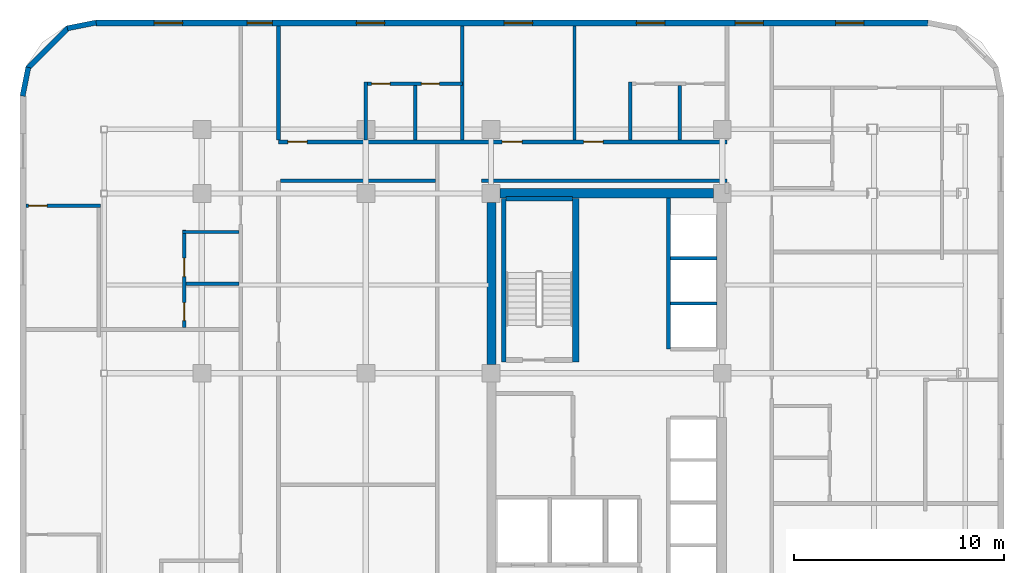
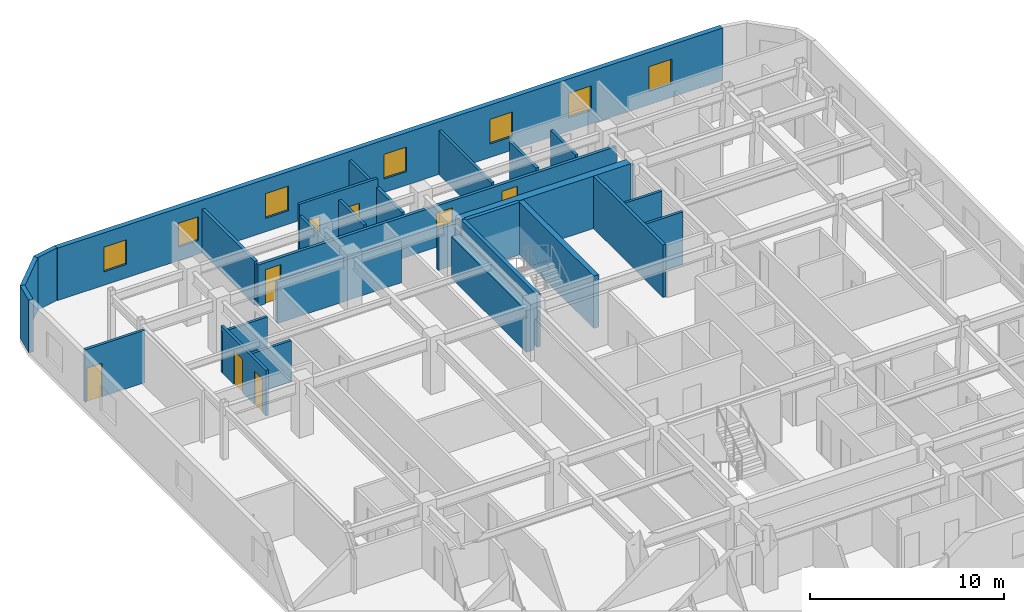
# One storey, part 9 of 11: 27 walls, 8 doors, 7 windows, 15 openings.
"""IFC4 building model written with IfcOpenShell, lengths in metres."""

from ifc_helpers import new_model, si_unit, direction, frame, frame_2d, origin, place, context, subcontext, project, spatial, rectangle, extrude, material, layer, layer_set, type_object, element, fill, save


model = new_model("IFC4")

# Units and contexts
model_context = context("Model", 3, precision=1e-05, world=origin(), true_north=direction((0.0, 1.0)))
body_context = subcontext(model_context, "Body", "Model", "MODEL_VIEW")
ifc_project = project(units=[si_unit("LENGTHUNIT", "METRE"), si_unit("AREAUNIT", "SQUARE_METRE"), si_unit("VOLUMEUNIT", "CUBIC_METRE"), si_unit("PLANEANGLEUNIT", "RADIAN"), si_unit("MASSUNIT", "GRAM", prefix="KILO")], contexts=[model_context])

# Site, building, storey
site_placement = place(None, origin())
site = spatial("IfcSite", under=ifc_project, at=site_placement, CompositionType="ELEMENT")
building_placement = place(site_placement, origin())
building = spatial("IfcBuilding", under=site, at=building_placement, Name="Ochreholt Gables", CompositionType="ELEMENT")
storey_placement = place(building_placement, frame((0.0, 0.0, 67.800048828125)))
storey = spatial("IfcBuildingStorey", under=building, at=storey_placement, Name="L17", CompositionType="ELEMENT", Elevation=67.800048828125)

# Walls
ifc_material_1 = material(Name="Concrete 60 MPa", Category="concrete")
ifc_layer_1 = layer(ifc_material_1, 0.449951171875, Name="Concrete 60 MPa")
ifc_layer_set_1 = layer_set([ifc_layer_1], Name="Concrete 60 MPa")
wall_type_1 = type_object("IfcWallType", Name="WALL-CSW-450", PredefinedType="SHEAR", material=ifc_layer_set_1)
wall_1_placement = place(storey_placement, frame((24.22509765625, 30.625, 0.0), z_axis=(0.0, 0.0, 1.0), x_axis=(0.0, 1.0, 0.0)))
element("IfcWall", 1, at=wall_1_placement, inside=storey, type_object=wall_type_1, Name="L17 Core West Shear Wall WN", PredefinedType="SHEAR", context=body_context, shape_type="SweptSolid", body=[
    extrude(rectangle(XDim=7.699951171875, YDim=0.449951171875, at=frame_2d((3.85009765625, 0.0))), origin(), (0.0, 0.0, 1.0), 2.60693359375),
])
wall_2_placement = place(storey_placement, frame((24.625, 38.75, 0.0), z_axis=(0.0, 0.0, 1.0), x_axis=(1.0, 0.0, 0.0)))
element("IfcWall", 2, at=wall_2_placement, inside=storey, type_object=wall_type_1, Name="L17 Core North Shear Wall", PredefinedType="SHEAR", context=body_context, shape_type="SweptSolid", body=[
    extrude(rectangle(XDim=10.14990234375, YDim=0.449951171875, at=frame_2d((5.074951171875, 0.0))), origin(), (0.0, 0.0, 1.0), 3.300048828125),
])

# Wall, openings, windows
ifc_material_2 = material(Name="Precast concrete 40 MPa", Category="concrete")
ifc_layer_2 = layer(ifc_material_2, 0.2900390625, Name="Precast concrete 40 MPa")
ifc_layer_set_2 = layer_set([ifc_layer_2], Name="Precast concrete 40 MPa")
wall_type_2 = type_object("IfcWallType", Name="WALL-EXT-290", PredefinedType="SOLIDWALL", material=ifc_layer_set_2)
wall_3_placement = place(storey_placement, frame((44.97998046875, 46.85498046875, 0.0), z_axis=(0.0, 0.0, 1.0), x_axis=(-1.0, 0.0, 0.0)))
wall_3 = element("IfcWall", 3, at=wall_3_placement, inside=storey, type_object=wall_type_2, Name="L17 North Exterior Wall", PredefinedType="SOLIDWALL", context=body_context, shape_type="SweptSolid", body=[
    extrude(rectangle(XDim=39.56005859375, YDim=0.2900390625, at=frame_2d((19.780029296875, 0.0))), origin(), (0.0, 0.0, 1.0), 3.300048828125),
])
opening_1_placement = place(wall_3_placement, frame((35.445068359375, 0.0, 0.85009765625)))
opening_1 = element("IfcOpeningElement", 4, at=opening_1_placement, cuts=wall_3, Name="Opening WN-8", PredefinedType="OPENING", context=body_context, shape_type="SweptSolid", body=[
    extrude(rectangle(XDim=1.35009765625, YDim=1.550048828125, at=frame_2d((0.675048828125, 0.77490234375))), frame((0.0, 0.155029296875, 0.0), z_axis=(0.0, -1.0, 0.0), x_axis=(1.0, 0.0, 0.0)), (0.0, 0.0, 1.0), 0.31005859375),
])
opening_2_placement = place(wall_3_placement, frame((31.179931640625, 0.0, 0.85009765625)))
opening_2 = element("IfcOpeningElement", 5, at=opening_2_placement, cuts=wall_3, Name="Opening WN-3", PredefinedType="OPENING", context=body_context, shape_type="SweptSolid", body=[
    extrude(rectangle(XDim=1.199951171875, YDim=1.5, at=frame_2d((0.60009765625, 0.75))), frame((0.0, 0.155029296875, 0.0), z_axis=(0.0, -1.0, 0.0), x_axis=(1.0, 0.0, 0.0)), (0.0, 0.0, 1.0), 0.31005859375),
])
opening_3_placement = place(wall_3_placement, frame((25.83447265625, 0.0, 0.85009765625)))
opening_3 = element("IfcOpeningElement", 6, at=opening_3_placement, cuts=wall_3, Name="Opening WN-8", PredefinedType="OPENING", context=body_context, shape_type="SweptSolid", body=[
    extrude(rectangle(XDim=1.35009765625, YDim=1.550048828125, at=frame_2d((0.675048828125, 0.77490234375))), frame((0.0, 0.155029296875, 0.0), z_axis=(0.0, -1.0, 0.0), x_axis=(1.0, 0.0, 0.0)), (0.0, 0.0, 1.0), 0.31005859375),
])
opening_4_placement = place(wall_3_placement, frame((18.798828125, 0.0, 0.85009765625)))
opening_4 = element("IfcOpeningElement", 7, at=opening_4_placement, cuts=wall_3, Name="Opening WN-8", PredefinedType="OPENING", context=body_context, shape_type="SweptSolid", body=[
    extrude(rectangle(XDim=1.35009765625, YDim=1.550048828125, at=frame_2d((0.675048828125, 0.77490234375))), frame((0.0, 0.155029296875, 0.0), z_axis=(0.0, -1.0, 0.0), x_axis=(1.0, 0.0, 0.0)), (0.0, 0.0, 1.0), 0.31005859375),
])
opening_5_placement = place(wall_3_placement, frame((12.509521484375, 0.0, 0.85009765625)))
opening_5 = element("IfcOpeningElement", 8, at=opening_5_placement, cuts=wall_3, Name="Opening WN-8", PredefinedType="OPENING", context=body_context, shape_type="SweptSolid", body=[
    extrude(rectangle(XDim=1.35009765625, YDim=1.550048828125, at=frame_2d((0.675048828125, 0.77490234375))), frame((0.0, 0.155029296875, 0.0), z_axis=(0.0, -1.0, 0.0), x_axis=(1.0, 0.0, 0.0)), (0.0, 0.0, 1.0), 0.31005859375),
])
opening_6_placement = place(wall_3_placement, frame((7.820068359375, 0.0, 0.85009765625)))
opening_6 = element("IfcOpeningElement", 9, at=opening_6_placement, cuts=wall_3, Name="Opening WN-8", PredefinedType="OPENING", context=body_context, shape_type="SweptSolid", body=[
    extrude(rectangle(XDim=1.35009765625, YDim=1.550048828125, at=frame_2d((0.675048828125, 0.77490234375))), frame((0.0, 0.155029296875, 0.0), z_axis=(0.0, -1.0, 0.0), x_axis=(1.0, 0.0, 0.0)), (0.0, 0.0, 1.0), 0.31005859375),
])
opening_7_placement = place(wall_3_placement, frame((3.0400390625, 0.0, 0.85009765625)))
opening_7 = element("IfcOpeningElement", 10, at=opening_7_placement, cuts=wall_3, Name="Opening WN-8", PredefinedType="OPENING", context=body_context, shape_type="SweptSolid", body=[
    extrude(rectangle(XDim=1.35009765625, YDim=1.550048828125, at=frame_2d((0.675048828125, 0.77490234375))), frame((0.0, 0.155029296875, 0.0), z_axis=(0.0, -1.0, 0.0), x_axis=(1.0, 0.0, 0.0)), (0.0, 0.0, 1.0), 0.31005859375),
])
ifc_material_3 = material(Name="Triple-Glazed Thermally Broken Aluminium Window", Category="aluminium")
window_type_1 = type_object("IfcWindowType", Name="WIN-RES-1200", PartitioningType="SINGLE_PANEL", PredefinedType="WINDOW", material=ifc_material_3)
window_1_placement = place(opening_2_placement, origin())
window_1 = element("IfcWindow", 11, at=window_1_placement, inside=storey, type_object=window_type_1, Name="L17 Window W-EXT-N-L17-2", OverallHeight=1.5, OverallWidth=1.199951171875, PartitioningType="SINGLE_PANEL", PredefinedType="WINDOW", context=body_context, shape_type="SweptSolid", body=[
    extrude(rectangle(XDim=1.199951171875, YDim=1.5, at=frame_2d((0.60009765625, 0.75))), frame((0.0, 0.030029296875, 0.0), z_axis=(0.0, -1.0, 0.0), x_axis=(1.0, 0.0, 0.0)), (0.0, 0.0, 1.0), 0.06005859375),
])
fill(opening_2, window_1)
window_type_2 = type_object("IfcWindowType", Name="WIN-RES-1350", PartitioningType="SINGLE_PANEL", PredefinedType="WINDOW", material=ifc_material_3)
window_2_placement = place(opening_1_placement, origin())
window_2 = element("IfcWindow", 12, at=window_2_placement, inside=storey, type_object=window_type_2, Name="L17 Window W-EXT-N-L17-1", OverallHeight=1.550048828125, OverallWidth=1.35009765625, PartitioningType="SINGLE_PANEL", PredefinedType="WINDOW", context=body_context, shape_type="SweptSolid", body=[
    extrude(rectangle(XDim=1.35009765625, YDim=1.550048828125, at=frame_2d((0.675048828125, 0.77490234375))), frame((0.0, 0.030029296875, 0.0), z_axis=(0.0, -1.0, 0.0), x_axis=(1.0, 0.0, 0.0)), (0.0, 0.0, 1.0), 0.06005859375),
])
fill(opening_1, window_2)
window_3_placement = place(opening_3_placement, origin())
window_3 = element("IfcWindow", 13, at=window_3_placement, inside=storey, type_object=window_type_2, Name="L17 Window W-EXT-N-L17-3", OverallHeight=1.550048828125, OverallWidth=1.35009765625, PartitioningType="SINGLE_PANEL", PredefinedType="WINDOW", context=body_context, shape_type="SweptSolid", body=[
    extrude(rectangle(XDim=1.35009765625, YDim=1.550048828125, at=frame_2d((0.675048828125, 0.77490234375))), frame((0.0, 0.030029296875, 0.0), z_axis=(0.0, -1.0, 0.0), x_axis=(1.0, 0.0, 0.0)), (0.0, 0.0, 1.0), 0.06005859375),
])
fill(opening_3, window_3)
window_4_placement = place(opening_4_placement, origin())
window_4 = element("IfcWindow", 14, at=window_4_placement, inside=storey, type_object=window_type_2, Name="L17 Window W-EXT-N-L17-4", OverallHeight=1.550048828125, OverallWidth=1.35009765625, PartitioningType="SINGLE_PANEL", PredefinedType="WINDOW", context=body_context, shape_type="SweptSolid", body=[
    extrude(rectangle(XDim=1.35009765625, YDim=1.550048828125, at=frame_2d((0.675048828125, 0.77490234375))), frame((0.0, 0.030029296875, 0.0), z_axis=(0.0, -1.0, 0.0), x_axis=(1.0, 0.0, 0.0)), (0.0, 0.0, 1.0), 0.06005859375),
])
fill(opening_4, window_4)
window_5_placement = place(opening_5_placement, origin())
window_5 = element("IfcWindow", 15, at=window_5_placement, inside=storey, type_object=window_type_2, Name="L17 Window W-EXT-N-L17-5", OverallHeight=1.550048828125, OverallWidth=1.35009765625, PartitioningType="SINGLE_PANEL", PredefinedType="WINDOW", context=body_context, shape_type="SweptSolid", body=[
    extrude(rectangle(XDim=1.35009765625, YDim=1.550048828125, at=frame_2d((0.675048828125, 0.77490234375))), frame((0.0, 0.030029296875, 0.0), z_axis=(0.0, -1.0, 0.0), x_axis=(1.0, 0.0, 0.0)), (0.0, 0.0, 1.0), 0.06005859375),
])
fill(opening_5, window_5)
window_6_placement = place(opening_6_placement, origin())
window_6 = element("IfcWindow", 16, at=window_6_placement, inside=storey, type_object=window_type_2, Name="L17 Window W-EXT-N-L17-6", OverallHeight=1.550048828125, OverallWidth=1.35009765625, PartitioningType="SINGLE_PANEL", PredefinedType="WINDOW", context=body_context, shape_type="SweptSolid", body=[
    extrude(rectangle(XDim=1.35009765625, YDim=1.550048828125, at=frame_2d((0.675048828125, 0.77490234375))), frame((0.0, 0.030029296875, 0.0), z_axis=(0.0, -1.0, 0.0), x_axis=(1.0, 0.0, 0.0)), (0.0, 0.0, 1.0), 0.06005859375),
])
fill(opening_6, window_6)
window_7_placement = place(opening_7_placement, origin())
window_7 = element("IfcWindow", 17, at=window_7_placement, inside=storey, type_object=window_type_2, Name="L17 Window W-EXT-N-L17-7", OverallHeight=1.550048828125, OverallWidth=1.35009765625, PartitioningType="SINGLE_PANEL", PredefinedType="WINDOW", context=body_context, shape_type="SweptSolid", body=[
    extrude(rectangle(XDim=1.35009765625, YDim=1.550048828125, at=frame_2d((0.675048828125, 0.77490234375))), frame((0.0, 0.030029296875, 0.0), z_axis=(0.0, -1.0, 0.0), x_axis=(1.0, 0.0, 0.0)), (0.0, 0.0, 1.0), 0.06005859375),
])
fill(opening_7, window_7)

# Walls
ifc_layer_3 = layer(ifc_material_2, 0.25, Name="Precast concrete 40 MPa")
ifc_layer_set_3 = layer_set([ifc_layer_3], Name="Precast concrete 40 MPa")
wall_type_3 = type_object("IfcWallType", Name="WALL-EXT-CNR", PredefinedType="SOLIDWALL", material=ifc_layer_set_3)
wall_4_placement = place(storey_placement, frame((5.41650390625, 46.875732421875, 0.0), z_axis=(0.0, 0.0, 1.0), x_axis=(-0.980809899341, -0.19496651342, 0.0)))
element("IfcWall", 18, at=wall_4_placement, inside=storey, type_object=wall_type_3, Name="L17 Rounded Corner Wall NW-1", PredefinedType="SOLIDWALL", context=body_context, shape_type="SweptSolid", body=[
    extrude(rectangle(XDim=1.388671875, YDim=0.25, at=frame_2d((0.6943359375, 0.0))), origin(), (0.0, 0.0, 1.0), 3.300048828125),
])
wall_5_placement = place(storey_placement, frame((4.10498046875, 46.632080078125, 0.0), z_axis=(0.0, 0.0, 1.0), x_axis=(-0.707106781187, -0.707106781187, 0.0)))
element("IfcWall", 19, at=wall_5_placement, inside=storey, type_object=wall_type_3, Name="L17 Rounded Corner Wall NW-2", PredefinedType="SOLIDWALL", context=body_context, shape_type="SweptSolid", body=[
    extrude(rectangle(XDim=2.7392578125, YDim=0.25, at=frame_2d((1.36962890625, 0.0))), origin(), (0.0, 0.0, 1.0), 3.300048828125),
])
wall_6_placement = place(storey_placement, frame((2.195068359375, 44.74560546875, 0.0), z_axis=(0.0, 0.0, 1.0), x_axis=(-0.19496651342, -0.980809899341, 0.0)))
element("IfcWall", 20, at=wall_6_placement, inside=storey, type_object=wall_type_3, Name="L17 Rounded Corner Wall NW-3", PredefinedType="SOLIDWALL", context=body_context, shape_type="SweptSolid", body=[
    extrude(rectangle(XDim=1.388671875, YDim=0.25, at=frame_2d((0.6943359375, 0.0))), origin(), (0.0, 0.0, 1.0), 3.300048828125),
])

# Wall, openings, doors
ifc_material_4 = material(Name="Fire-Rated Gypsum Acoustic Partition", Category="gypsum")
ifc_layer_4 = layer(ifc_material_4, 0.179931640625, Name="Fire-Rated Gypsum Acoustic Partition")
ifc_layer_set_4 = layer_set([ifc_layer_4], Name="Fire-Rated Gypsum Acoustic Partition")
wall_type_4 = type_object("IfcWallType", Name="WALL-INT-CR180", PredefinedType="STANDARD", material=ifc_layer_set_4)
wall_7_placement = place(storey_placement, frame((14.10009765625, 41.199951171875, 0.0), z_axis=(0.0, 0.0, 1.0), x_axis=(1.0, 0.0, 0.0)))
wall_7 = element("IfcWall", 21, at=wall_7_placement, inside=storey, type_object=wall_type_4, Name="L17 Interior Wall WI-C1N-L17", PredefinedType="STANDARD", context=body_context, shape_type="SweptSolid", body=[
    extrude(rectangle(XDim=21.31982421875, YDim=0.179931640625, at=frame_2d((10.659912109375, 0.0))), origin(), (0.0, 0.0, 1.0), 2.5888671875),
])
opening_8_placement = place(wall_7_placement, frame((0.43994140625, 0.0, 0.0)))
opening_8 = element("IfcOpeningElement", 22, at=opening_8_placement, cuts=wall_7, Name="Opening D-UN1", PredefinedType="OPENING", context=body_context, shape_type="SweptSolid", body=[
    extrude(rectangle(XDim=0.919921875, YDim=2.14990234375, at=frame_2d((0.4599609375, 1.074951171875))), frame((0.0, 0.099853515625, 0.0), z_axis=(0.0, -1.0, 0.0), x_axis=(1.0, 0.0, 0.0)), (0.0, 0.0, 1.0), 0.199951171875),
])
opening_9_placement = place(wall_7_placement, frame((10.631103515625, 0.0, 0.0)))
opening_9 = element("IfcOpeningElement", 23, at=opening_9_placement, cuts=wall_7, Name="Opening D-GN1", PredefinedType="OPENING", context=body_context, shape_type="SweptSolid", body=[
    extrude(rectangle(XDim=0.949951171875, YDim=2.14990234375, at=frame_2d((0.47509765625, 1.074951171875))), frame((0.0, 0.099853515625, 0.0), z_axis=(0.0, -1.0, 0.0), x_axis=(1.0, 0.0, 0.0)), (0.0, 0.0, 1.0), 0.199951171875),
])
opening_10_placement = place(wall_7_placement, frame((14.51123046875, 0.0, 0.0)))
opening_10 = element("IfcOpeningElement", 24, at=opening_10_placement, cuts=wall_7, Name="Opening D-UN1", PredefinedType="OPENING", context=body_context, shape_type="SweptSolid", body=[
    extrude(rectangle(XDim=0.919921875, YDim=2.14990234375, at=frame_2d((0.4599609375, 1.074951171875))), frame((0.0, 0.099853515625, 0.0), z_axis=(0.0, -1.0, 0.0), x_axis=(1.0, 0.0, 0.0)), (0.0, 0.0, 1.0), 0.199951171875),
])
ifc_material_5 = material(Name="Engineered Oak Timber", Category="wood")
door_type_1 = type_object("IfcDoorType", Name="DR-INT-GEN950", OperationType="NOTDEFINED", PredefinedType="DOOR", material=ifc_material_5)
door_1_placement = place(opening_9_placement, origin())
door_1 = element("IfcDoor", 25, at=door_1_placement, inside=storey, type_object=door_type_1, Name="L17 Door D-C1N3-L17", OperationType="SINGLE_SWING_RIGHT", OverallHeight=2.14990234375, OverallWidth=0.949951171875, PredefinedType="DOOR", context=body_context, shape_type="SweptSolid", body=[
    extrude(rectangle(XDim=0.949951171875, YDim=2.14990234375, at=frame_2d((0.47509765625, 1.074951171875))), frame((0.0, 0.02490234375, 0.0), z_axis=(0.0, -1.0, 0.0), x_axis=(1.0, 0.0, 0.0)), (0.0, 0.0, 1.0), 0.050048828125),
])
fill(opening_9, door_1)
door_type_2 = type_object("IfcDoorType", Name="DR-INT-UNT920", OperationType="NOTDEFINED", PredefinedType="DOOR", material=ifc_material_5)
door_2_placement = place(opening_8_placement, origin())
door_2 = element("IfcDoor", 26, at=door_2_placement, inside=storey, type_object=door_type_2, Name="L17 Door D-U-L17N1-ENT", OperationType="SINGLE_SWING_RIGHT", OverallHeight=2.14990234375, OverallWidth=0.919921875, PredefinedType="DOOR", context=body_context, shape_type="SweptSolid", body=[
    extrude(rectangle(XDim=0.919921875, YDim=2.14990234375, at=frame_2d((0.4599609375, 1.074951171875))), frame((0.0, 0.02490234375, 0.0), z_axis=(0.0, -1.0, 0.0), x_axis=(1.0, 0.0, 0.0)), (0.0, 0.0, 1.0), 0.050048828125),
])
fill(opening_8, door_2)
door_3_placement = place(opening_10_placement, origin())
door_3 = element("IfcDoor", 27, at=door_3_placement, inside=storey, type_object=door_type_2, Name="L17 Door D-U-L17N3-ENT", OperationType="SINGLE_SWING_RIGHT", OverallHeight=2.14990234375, OverallWidth=0.919921875, PredefinedType="DOOR", context=body_context, shape_type="SweptSolid", body=[
    extrude(rectangle(XDim=0.919921875, YDim=2.14990234375, at=frame_2d((0.4599609375, 1.074951171875))), frame((0.0, 0.02490234375, 0.0), z_axis=(0.0, -1.0, 0.0), x_axis=(1.0, 0.0, 0.0)), (0.0, 0.0, 1.0), 0.050048828125),
])
fill(opening_10, door_3)

# Walls
wall_8_placement = place(storey_placement, frame((23.75, 39.35009765625, 0.0), z_axis=(0.0, 0.0, 1.0), x_axis=(1.0, 0.0, 0.0)))
element("IfcWall", 28, at=wall_8_placement, inside=storey, type_object=wall_type_4, Name="L17 Interior Wall WI-C1N2-L17", PredefinedType="STANDARD", context=body_context, shape_type="SweptSolid", body=[
    extrude(rectangle(XDim=11.669921875, YDim=0.179931640625, at=frame_2d((5.8349609375, 0.0))), origin(), (0.0, 0.0, 1.0), 2.5888671875),
])
wall_9_placement = place(storey_placement, frame((14.18994140625, 39.35009765625, 0.0), z_axis=(0.0, 0.0, 1.0), x_axis=(1.0, 0.0, 0.0)))
element("IfcWall", 29, at=wall_9_placement, inside=storey, type_object=wall_type_4, Name="L17 Interior Wall WI-C1N2W-L17", PredefinedType="STANDARD", context=body_context, shape_type="SweptSolid", body=[
    extrude(rectangle(XDim=7.3701171875, YDim=0.179931640625, at=frame_2d((3.68505859375, 0.0))), origin(), (0.0, 0.0, 1.0), 2.5888671875),
])
ifc_material_6 = material(Name="Double-Stud Acoustic Demising Wall", Category="gypsum")
ifc_layer_5 = layer(ifc_material_6, 0.179931640625, Name="Double-Stud Acoustic Demising Wall")
ifc_layer_set_5 = layer_set([ifc_layer_5], Name="Double-Stud Acoustic Demising Wall")
wall_type_5 = type_object("IfcWallType", Name="WALL-INT-DM180", PredefinedType="PARTITIONING", material=ifc_layer_set_5)
wall_10_placement = place(storey_placement, frame((14.10009765625, 41.2900390625, 0.0), z_axis=(0.0, 0.0, 1.0), x_axis=(0.0, 1.0, 0.0)))
element("IfcWall", 30, at=wall_10_placement, inside=storey, type_object=wall_type_5, Name="L17 Interior Wall WI-C1WNI-L17", PredefinedType="PARTITIONING", context=body_context, shape_type="SweptSolid", body=[
    extrude(rectangle(XDim=5.419921875, YDim=0.179931640625, at=frame_2d((2.7099609375, 0.0))), origin(), (0.0, 0.0, 1.0), 2.7490234375),
])
ifc_material_7 = material(Name="Moisture-Resistant Plumbing Chase Wall", Category="gypsum")
ifc_layer_6 = layer(ifc_material_7, 0.159912109375, Name="Moisture-Resistant Plumbing Chase Wall")
ifc_layer_set_6 = layer_set([ifc_layer_6], Name="Moisture-Resistant Plumbing Chase Wall")
wall_type_6 = type_object("IfcWallType", Name="WALL-INT-PL160", PredefinedType="PLUMBINGWALL", material=ifc_layer_set_6)
wall_11_placement = place(storey_placement, frame((9.528076171875, 36.919921875, 0.0), z_axis=(0.0, 0.0, 1.0), x_axis=(1.0, 0.0, 0.0)))
element("IfcWall", 31, at=wall_11_placement, inside=storey, type_object=wall_type_6, Name="L17 Interior Wall WU-L17W3-WYN", PredefinedType="PLUMBINGWALL", context=body_context, shape_type="SweptSolid", body=[
    extrude(rectangle(XDim=2.681884765625, YDim=0.159912109375, at=frame_2d((1.3408203125, 0.0))), origin(), (0.0, 0.0, 1.0), 2.5888671875),
])

# Wall, openings, doors
wall_12_placement = place(storey_placement, frame((9.60791015625, 32.3701171875, 0.0), z_axis=(0.0, 0.0, 1.0), x_axis=(0.0, 1.0, 0.0)))
wall_12 = element("IfcWall", 32, at=wall_12_placement, inside=storey, type_object=wall_type_6, Name="L17 Interior Wall WU-L17W3-WX", PredefinedType="PLUMBINGWALL", context=body_context, shape_type="SweptSolid", body=[
    extrude(rectangle(XDim=4.639892578125, YDim=0.159912109375, at=frame_2d((2.31982421875, 0.0))), origin(), (0.0, 0.0, 1.0), 2.8720703125),
])
opening_11_placement = place(wall_12_placement, frame((0.330078125, 0.0, 0.0)))
opening_11 = element("IfcOpeningElement", 33, at=opening_11_placement, cuts=wall_12, Name="Opening D-BT1", PredefinedType="OPENING", context=body_context, shape_type="SweptSolid", body=[
    extrude(rectangle(XDim=0.860107421875, YDim=2.1201171875, at=frame_2d((0.43017578125, 1.06005859375))), frame((0.0, 0.08984375, 0.0), z_axis=(0.0, -1.0, 0.0), x_axis=(1.0, 0.0, 0.0)), (0.0, 0.0, 1.0), 0.179931640625),
])
opening_12_placement = place(wall_12_placement, frame((2.423095703125, 0.0, 0.0)))
opening_12 = element("IfcOpeningElement", 34, at=opening_12_placement, cuts=wall_12, Name="Opening D-GN2", PredefinedType="OPENING", context=body_context, shape_type="SweptSolid", body=[
    extrude(rectangle(XDim=0.8798828125, YDim=2.1201171875, at=frame_2d((0.43994140625, 1.06005859375))), frame((0.0, 0.08984375, 0.0), z_axis=(0.0, -1.0, 0.0), x_axis=(1.0, 0.0, 0.0)), (0.0, 0.0, 1.0), 0.179931640625),
])
door_type_3 = type_object("IfcDoorType", Name="DR-INT-BTH860", OperationType="NOTDEFINED", PredefinedType="DOOR", material=ifc_material_5)
door_4_placement = place(opening_11_placement, origin())
door_4 = element("IfcDoor", 35, at=door_4_placement, inside=storey, type_object=door_type_3, Name="L17 Door D-U-L17W3-BTH", OperationType="SINGLE_SWING_LEFT", OverallHeight=2.1201171875, OverallWidth=0.860107421875, PredefinedType="DOOR", context=body_context, shape_type="SweptSolid", body=[
    extrude(rectangle(XDim=0.860107421875, YDim=2.1201171875, at=frame_2d((0.43017578125, 1.06005859375))), frame((0.0, 0.02490234375, 0.0), z_axis=(0.0, -1.0, 0.0), x_axis=(1.0, 0.0, 0.0)), (0.0, 0.0, 1.0), 0.050048828125),
])
fill(opening_11, door_4)
door_type_4 = type_object("IfcDoorType", Name="DR-INT-GEN880", OperationType="NOTDEFINED", PredefinedType="DOOR", material=ifc_material_5)
door_5_placement = place(opening_12_placement, origin())
door_5 = element("IfcDoor", 36, at=door_5_placement, inside=storey, type_object=door_type_4, Name="L17 Door D-U-L17W3-KIT", OperationType="SINGLE_SWING_RIGHT", OverallHeight=2.1201171875, OverallWidth=0.8798828125, PredefinedType="DOOR", context=body_context, shape_type="SweptSolid", body=[
    extrude(rectangle(XDim=0.8798828125, YDim=2.1201171875, at=frame_2d((0.43994140625, 1.06005859375))), frame((0.0, 0.02490234375, 0.0), z_axis=(0.0, -1.0, 0.0), x_axis=(1.0, 0.0, 0.0)), (0.0, 0.0, 1.0), 0.050048828125),
])
fill(opening_12, door_5)

# Wall
wall_13_placement = place(storey_placement, frame((9.68798828125, 34.462890625, 0.0), z_axis=(0.0, 0.0, 1.0), x_axis=(1.0, 0.0, 0.0)))
element("IfcWall", 37, at=wall_13_placement, inside=storey, type_object=wall_type_6, Name="L17 Interior Wall WU-L17W3-WM", PredefinedType="PLUMBINGWALL", context=body_context, shape_type="SweptSolid", body=[
    extrude(rectangle(XDim=2.52197265625, YDim=0.159912109375, at=frame_2d((1.260986328125, 0.0))), origin(), (0.0, 0.0, 1.0), 2.5888671875),
])

# Wall, openings, doors
wall_14_placement = place(storey_placement, frame((18.171142578125, 43.969970703125, 0.0), z_axis=(0.0, 0.0, 1.0), x_axis=(1.0, 0.0, 0.0)))
wall_14 = element("IfcWall", 38, at=wall_14_placement, inside=storey, type_object=wall_type_6, Name="L17 Interior Wall WU-L17N1-WY", PredefinedType="PLUMBINGWALL", context=body_context, shape_type="SweptSolid", body=[
    extrude(rectangle(XDim=4.670166015625, YDim=0.159912109375, at=frame_2d((2.3349609375, 0.0))), origin(), (0.0, 0.0, 1.0), 3.300048828125),
])
opening_13_placement = place(wall_14_placement, frame((0.35009765625, 0.0, 0.0)))
opening_13 = element("IfcOpeningElement", 39, at=opening_13_placement, cuts=wall_14, Name="Opening D-GN2", PredefinedType="OPENING", context=body_context, shape_type="SweptSolid", body=[
    extrude(rectangle(XDim=0.8798828125, YDim=2.1201171875, at=frame_2d((0.43994140625, 1.06005859375))), frame((0.0, 0.08984375, 0.0), z_axis=(0.0, -1.0, 0.0), x_axis=(1.0, 0.0, 0.0)), (0.0, 0.0, 1.0), 0.179931640625),
])
opening_14_placement = place(wall_14_placement, frame((2.719970703125, 0.0, 0.0)))
opening_14 = element("IfcOpeningElement", 40, at=opening_14_placement, cuts=wall_14, Name="Opening D-BT1", PredefinedType="OPENING", context=body_context, shape_type="SweptSolid", body=[
    extrude(rectangle(XDim=0.860107421875, YDim=2.1201171875, at=frame_2d((0.43017578125, 1.06005859375))), frame((0.0, 0.08984375, 0.0), z_axis=(0.0, -1.0, 0.0), x_axis=(1.0, 0.0, 0.0)), (0.0, 0.0, 1.0), 0.179931640625),
])
door_6_placement = place(opening_14_placement, origin())
door_6 = element("IfcDoor", 41, at=door_6_placement, inside=storey, type_object=door_type_3, Name="L17 Door D-U-L17N1-BTH", OperationType="SINGLE_SWING_RIGHT", OverallHeight=2.1201171875, OverallWidth=0.860107421875, PredefinedType="DOOR", context=body_context, shape_type="SweptSolid", body=[
    extrude(rectangle(XDim=0.860107421875, YDim=2.1201171875, at=frame_2d((0.43017578125, 1.06005859375))), frame((0.0, 0.02490234375, 0.0), z_axis=(0.0, -1.0, 0.0), x_axis=(1.0, 0.0, 0.0)), (0.0, 0.0, 1.0), 0.050048828125),
])
fill(opening_14, door_6)
door_7_placement = place(opening_13_placement, origin())
door_7 = element("IfcDoor", 42, at=door_7_placement, inside=storey, type_object=door_type_4, Name="L17 Door D-U-L17N1-KIT", OperationType="SINGLE_SWING_LEFT", OverallHeight=2.1201171875, OverallWidth=0.8798828125, PredefinedType="DOOR", context=body_context, shape_type="SweptSolid", body=[
    extrude(rectangle(XDim=0.8798828125, YDim=2.1201171875, at=frame_2d((0.43994140625, 1.06005859375))), frame((0.0, 0.02490234375, 0.0), z_axis=(0.0, -1.0, 0.0), x_axis=(1.0, 0.0, 0.0)), (0.0, 0.0, 1.0), 0.050048828125),
])
fill(opening_13, door_7)

# Walls
wall_15_placement = place(storey_placement, frame((18.251220703125, 41.2900390625, 0.0), z_axis=(0.0, 0.0, 1.0), x_axis=(0.0, 1.0, 0.0)))
element("IfcWall", 43, at=wall_15_placement, inside=storey, type_object=wall_type_6, Name="L17 Interior Wall WU-L17N1-FY", PredefinedType="PLUMBINGWALL", context=body_context, shape_type="SweptSolid", body=[
    extrude(rectangle(XDim=2.760009765625, YDim=0.159912109375, at=frame_2d((1.3798828125, 0.0))), origin(), (0.0, 0.0, 1.0), 2.5888671875),
])
wall_16_placement = place(storey_placement, frame((20.59130859375, 41.2900390625, 0.0), z_axis=(0.0, 0.0, 1.0), x_axis=(0.0, 1.0, 0.0)))
element("IfcWall", 44, at=wall_16_placement, inside=storey, type_object=wall_type_6, Name="L17 Interior Wall WU-L17N1-WK", PredefinedType="PLUMBINGWALL", context=body_context, shape_type="SweptSolid", body=[
    extrude(rectangle(XDim=2.599853515625, YDim=0.159912109375, at=frame_2d((1.2998046875, 0.0))), origin(), (0.0, 0.0, 1.0), 2.7490234375),
])
wall_17_placement = place(storey_placement, frame((30.830078125, 41.2900390625, 0.0), z_axis=(0.0, 0.0, 1.0), x_axis=(0.0, 1.0, 0.0)))
element("IfcWall", 45, at=wall_17_placement, inside=storey, type_object=wall_type_6, Name="L17 Interior Wall WU-L17N3-FY", PredefinedType="PLUMBINGWALL", context=body_context, shape_type="SweptSolid", body=[
    extrude(rectangle(XDim=2.760009765625, YDim=0.159912109375, at=frame_2d((1.3798828125, 0.0))), origin(), (0.0, 0.0, 1.0), 2.7490234375),
])
wall_18_placement = place(storey_placement, frame((33.169921875, 41.2900390625, 0.0), z_axis=(0.0, 0.0, 1.0), x_axis=(0.0, 1.0, 0.0)))
element("IfcWall", 46, at=wall_18_placement, inside=storey, type_object=wall_type_6, Name="L17 Interior Wall WU-L17N3-WK", PredefinedType="PLUMBINGWALL", context=body_context, shape_type="SweptSolid", body=[
    extrude(rectangle(XDim=2.599853515625, YDim=0.159912109375, at=frame_2d((1.2998046875, 0.0))), origin(), (0.0, 0.0, 1.0), 2.7490234375),
])

# Wall, opening, door
ifc_material_8 = material(Name="Gypsum Acoustic Stud Partition", Category="gypsum")
ifc_layer_7 = layer(ifc_material_8, 0.159912109375, Name="Gypsum Acoustic Stud Partition")
ifc_layer_set_7 = layer_set([ifc_layer_7], Name="Gypsum Acoustic Stud Partition")
wall_type_7 = type_object("IfcWallType", Name="WALL-INT-PT160", PredefinedType="PARTITIONING", material=ifc_layer_set_7)
wall_19_placement = place(storey_placement, frame((2.090087890625, 38.169921875, 0.0), z_axis=(0.0, 0.0, 1.0), x_axis=(1.0, 0.0, 0.0)))
wall_19 = element("IfcWall", 47, at=wall_19_placement, inside=storey, type_object=wall_type_7, Name="L17 Interior Wall WU-L17W3-STN", PredefinedType="PARTITIONING", context=body_context, shape_type="SweptSolid", body=[
    extrude(rectangle(XDim=3.539794921875, YDim=0.159912109375, at=frame_2d((1.77001953125, 0.0))), origin(), (0.0, 0.0, 1.0), 3.300048828125),
])
opening_15_placement = place(wall_19_placement, frame((0.1201171875, 0.0, 0.0)))
opening_15 = element("IfcOpeningElement", 48, at=opening_15_placement, cuts=wall_19, Name="Opening D-GN2", PredefinedType="OPENING", context=body_context, shape_type="SweptSolid", body=[
    extrude(rectangle(XDim=0.8798828125, YDim=2.1201171875, at=frame_2d((0.43994140625, 1.06005859375))), frame((0.0, 0.08984375, 0.0), z_axis=(0.0, -1.0, 0.0), x_axis=(1.0, 0.0, 0.0)), (0.0, 0.0, 1.0), 0.179931640625),
])
door_8_placement = place(opening_15_placement, origin())
door_8 = element("IfcDoor", 49, at=door_8_placement, inside=storey, type_object=door_type_4, Name="L17 Door D-U-L17W3-STD", OperationType="SINGLE_SWING_LEFT", OverallHeight=2.1201171875, OverallWidth=0.8798828125, PredefinedType="DOOR", context=body_context, shape_type="SweptSolid", body=[
    extrude(rectangle(XDim=0.8798828125, YDim=2.1201171875, at=frame_2d((0.43994140625, 1.06005859375))), frame((0.0, 0.02490234375, 0.0), z_axis=(0.0, -1.0, 0.0), x_axis=(1.0, 0.0, 0.0)), (0.0, 0.0, 1.0), 0.050048828125),
])
fill(opening_15, door_8)

# Walls
for number, where, z_axis, x_axis, name in (
    (50, (22.84130859375, 41.2900390625, 0.0), (0.0, 0.0, 1.0), (0.0, 1.0, 0.0), "L17 Interior Wall WI-UDN2-L17"),
    (51, (28.171142578125, 41.2900390625, 0.0), (0.0, 0.0, 1.0), (0.0, 1.0, 0.0), "L17 Interior Wall WI-UDN3-L17"),
):
    element("IfcWall", number, at=place(storey_placement, frame(where, z_axis=z_axis, x_axis=x_axis)), inside=storey, type_object=wall_type_7, Name=name, PredefinedType="PARTITIONING", context=body_context, shape_type="SweptSolid", body=[
        extrude(rectangle(XDim=5.419921875, YDim=0.159912109375, at=frame_2d((2.7099609375, 0.0))), origin(), (0.0, 0.0, 1.0), 2.7490234375),
    ])
ifc_material_9 = material(Name="Gypsum Shaftliner and Steel Stud", Category="steel")
ifc_layer_8 = layer(ifc_material_9, 0.14990234375, Name="Gypsum Shaftliner and Steel Stud")
ifc_layer_set_8 = layer_set([ifc_layer_8], Name="Gypsum Shaftliner and Steel Stud")
wall_type_8 = type_object("IfcWallType", Name="WALL-INT-SH150", PredefinedType="STANDARD", material=ifc_layer_set_8)
for number, where, z_axis, x_axis, name in (
    (52, (32.739990234375, 33.52001953125, 0.0), (0.0, 0.0, 1.0), (1.0, 0.0, 0.0), "L17 Interior Wall WI-LFM-D1-L17"),
    (53, (32.739990234375, 35.669921875, 0.0), (0.0, 0.0, 1.0), (1.0, 0.0, 0.0), "L17 Interior Wall WI-LFM-D2-L17"),
):
    element("IfcWall", number, at=place(storey_placement, frame(where, z_axis=z_axis, x_axis=x_axis)), inside=storey, type_object=wall_type_8, Name=name, PredefinedType="STANDARD", context=body_context, shape_type="SweptSolid", body=[
        extrude(rectangle(XDim=2.2099609375, YDim=0.14990234375, at=frame_2d((1.10498046875, 0.0))), origin(), (0.0, 0.0, 1.0), 3.300048828125),
    ])
ifc_layer_9 = layer(ifc_material_9, 0.179931640625, Name="Gypsum Shaftliner and Steel Stud")
ifc_layer_set_9 = layer_set([ifc_layer_9], Name="Gypsum Shaftliner and Steel Stud")
wall_type_9 = type_object("IfcWallType", Name="WALL-INT-SH180", PredefinedType="STANDARD", material=ifc_layer_set_9)
wall_20_placement = place(storey_placement, frame((32.64990234375, 31.35009765625, 0.0), z_axis=(0.0, 0.0, 1.0), x_axis=(0.0, 1.0, 0.0)))
element("IfcWall", 54, at=wall_20_placement, inside=storey, type_object=wall_type_9, Name="L17 Interior Wall WI-LFM-FR-L17", PredefinedType="STANDARD", context=body_context, shape_type="SweptSolid", body=[
    extrude(rectangle(XDim=7.1748046875, YDim=0.179931640625, at=frame_2d((3.58740234375, 0.0))), origin(), (0.0, 0.0, 1.0), 3.300048828125),
])
ifc_layer_10 = layer(ifc_material_1, 0.300048828125, Name="Concrete 60 MPa")
ifc_layer_set_10 = layer_set([ifc_layer_10], Name="Concrete 60 MPa")
wall_type_10 = type_object("IfcWallType", Name="WALL-SPN-300", PredefinedType="SHEAR", material=ifc_layer_set_10)
wall_21_placement = place(storey_placement, frame((28.22998046875, 30.739990234375, 0.0), z_axis=(0.0, 0.0, 1.0), x_axis=(0.0, 1.0, 0.0)))
element("IfcWall", 55, at=wall_21_placement, inside=storey, type_object=wall_type_10, Name="L17 Core North Spine Shear Wall", PredefinedType="SHEAR", context=body_context, shape_type="SweptSolid", body=[
    extrude(rectangle(XDim=7.760009765625, YDim=0.300048828125, at=frame_2d((3.8798828125, 0.0))), origin(), (0.0, 0.0, 1.0), 3.300048828125),
])
ifc_material_10 = material(Name="Concrete 50 MPa", Category="concrete")
ifc_layer_11 = layer(ifc_material_10, 0.219970703125, Name="Concrete 50 MPa")
ifc_layer_set_11 = layer_set([ifc_layer_11], Name="Concrete 50 MPa")
wall_type_11 = type_object("IfcWallType", Name="WALL-STW-220", PredefinedType="SHEAR", material=ifc_layer_set_11)
wall_22_placement = place(storey_placement, frame((24.81005859375, 30.739990234375, 0.0), z_axis=(0.0, 0.0, 1.0), x_axis=(0.0, 1.0, 0.0)))
element("IfcWall", 56, at=wall_22_placement, inside=storey, type_object=wall_type_11, Name="L17 Exit Stair 2 West Wall", PredefinedType="SHEAR", context=body_context, shape_type="SweptSolid", body=[
    extrude(rectangle(XDim=7.760009765625, YDim=0.219970703125, at=frame_2d((3.8798828125, 0.0))), origin(), (0.0, 0.0, 1.0), 3.300048828125),
])
wall_23_placement = place(storey_placement, frame((24.919921875, 38.489990234375, 0.0), z_axis=(0.0, 0.0, 1.0), x_axis=(1.0, 0.0, 0.0)))
element("IfcWall", 57, at=wall_23_placement, inside=storey, type_object=wall_type_11, Name="L17 Exit Stair 2 North Wall", PredefinedType="SHEAR", context=body_context, shape_type="SweptSolid", body=[
    extrude(rectangle(XDim=3.16015625, YDim=0.219970703125, at=frame_2d((1.580078125, 0.0))), origin(), (0.0, 0.0, 1.0), 3.300048828125),
])

save(model, "model.ifc")
